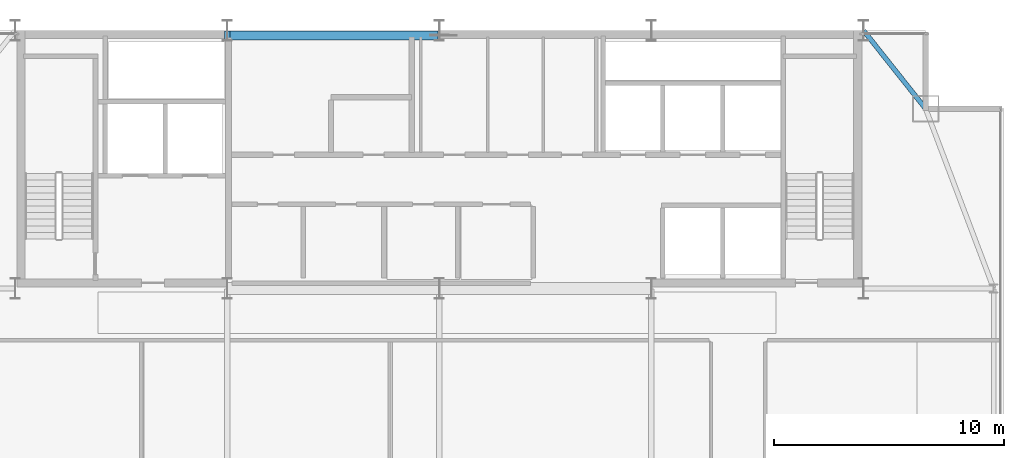
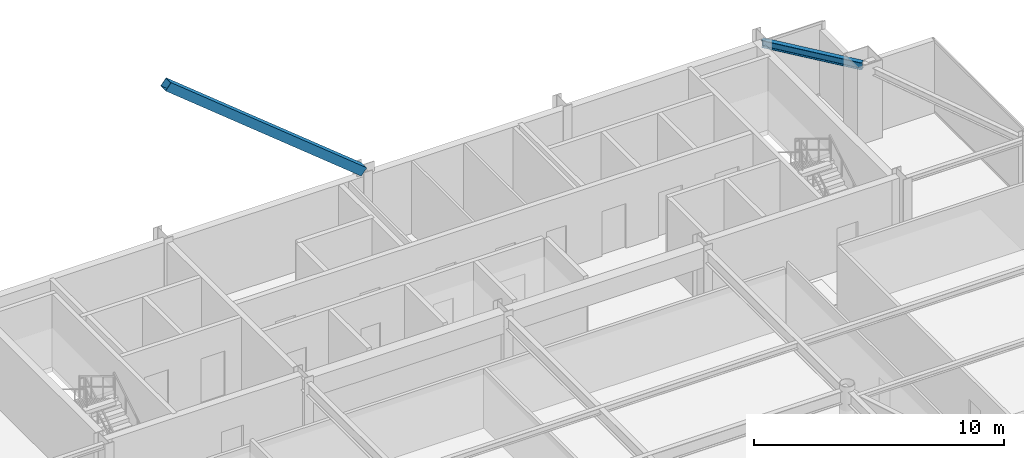
# One storey, part 19 of 27: 1 beam, 1 member.
"""IFC4 building model written with IfcOpenShell, lengths in metres."""

from ifc_helpers import new_model, si_unit, direction, frame, origin, origin_2d, place, context, subcontext, project, spatial, hollow_rectangle, i_section, extrude, source, transform, mapped, material, material_profile, profile_set, type_object, type_shapes, element, save


model = new_model("IFC4")

# Units and contexts
model_context = context("Model", 3, precision=1e-05, world=origin(), true_north=direction((0.0, 1.0)))
body_context = subcontext(model_context, "Body", "Model", "MODEL_VIEW")
ifc_project = project(units=[si_unit("LENGTHUNIT", "METRE"), si_unit("AREAUNIT", "SQUARE_METRE"), si_unit("VOLUMEUNIT", "CUBIC_METRE"), si_unit("PLANEANGLEUNIT", "RADIAN"), si_unit("MASSUNIT", "GRAM", prefix="KILO")], contexts=[model_context])

# Site, building, storey
site_placement = place(None, origin())
site = spatial("IfcSite", under=ifc_project, at=site_placement, CompositionType="ELEMENT")
building_placement = place(site_placement, origin())
building = spatial("IfcBuilding", under=site, at=building_placement, Name="Varnel Quay Broadcast Tower", CompositionType="ELEMENT")
storey_placement = place(building_placement, frame((0.0, 0.0, 203.60009765625)))
storey = spatial("IfcBuildingStorey", under=building, at=storey_placement, Name="L50", CompositionType="ELEMENT", Elevation=203.60009765625)

# Beam
ifc_material = material(Name="Structural Steel CSA G40.21 350W", Category="steel")
ifc_material_profile_1 = material_profile(ifc_material, i_section(OverallWidth=0.205078125, OverallDepth=0.35400390625, WebThickness=0.009521484375, FlangeThickness=0.016845703125, FilletRadius=0.012939453125, at=origin_2d()), Name="W360X79")
ifc_profile_set_1 = profile_set([ifc_material_profile_1], Name="Structural Steel CSA G40.21 350W")
beam_type = type_object("IfcBeamType", Name="Beam_W360X79", PredefinedType="SPANDREL", material=ifc_profile_set_1)
shared_shape_1 = source(origin(), body_context, "Body", "SweptSolid", [
    extrude(i_section(OverallWidth=0.205078125, OverallDepth=0.35400390625, WebThickness=0.009521484375, FlangeThickness=0.016845703125, FilletRadius=0.012939453125, at=origin_2d()), origin(), (0.0, 0.0, 1.0), 4.301513671875),
])
type_shapes(beam_type, [shared_shape_1])
beam_placement = place(storey_placement, frame((52.412353515625, 46.7841796875, 3.372802734375), z_axis=(0.621936399401, -0.783067758946, 0.0), x_axis=(0.783067758946, 0.621936399401, 0.0)))
element("IfcBeam", 1, at=beam_placement, inside=storey, type_object=beam_type, Name="L50 NE Tie Spandrel", PredefinedType="SPANDREL", context=body_context, shape_type="MappedRepresentation", body=[
    mapped(shared_shape_1, transform((0.0, 0.0, 0.0), x_axis=(1.0, 0.0, 0.0), y_axis=(0.0, 1.0, 0.0), z_axis=(0.0, 0.0, 1.0), scale=1.0)),
])

# Member
ifc_material_profile_2 = material_profile(ifc_material, hollow_rectangle(XDim=0.406005859375, YDim=0.406005859375, WallThickness=0.01611328125, at=origin_2d()), Name="HSS406X406X16")
ifc_profile_set_2 = profile_set([ifc_material_profile_2], Name="Structural Steel CSA G40.21 350W")
member_type = type_object("IfcMemberType", Name="Brace_HSS406X406X16", PredefinedType="BRACE", material=ifc_profile_set_2)
shared_shape_2 = source(origin(), body_context, "Body", "SweptSolid", [
    extrude(hollow_rectangle(XDim=0.406005859375, YDim=0.406005859375, WallThickness=0.01611328125, at=origin_2d()), origin(), (0.0, 0.0, 1.0), 11.608642578125),
])
type_shapes(member_type, [shared_shape_2])
member_placement = place(storey_placement, frame((33.8193359375, 46.580078125, 3.8212890625), z_axis=(-0.776938680611, 0.0, 0.629576275418), x_axis=(0.0, -1.0, 0.0)))
element("IfcMember", 2, at=member_placement, inside=storey, type_object=member_type, Name="Zone 4 Mega-Brace N-CT1 Split Diag B2", PredefinedType="BRACE", context=body_context, shape_type="MappedRepresentation", body=[
    mapped(shared_shape_2, transform((0.0, 0.0, 0.0), x_axis=(1.0, 0.0, 0.0), y_axis=(0.0, 1.0, 0.0), z_axis=(0.0, 0.0, 1.0), scale=1.0)),
])

save(model, "model.ifc")
